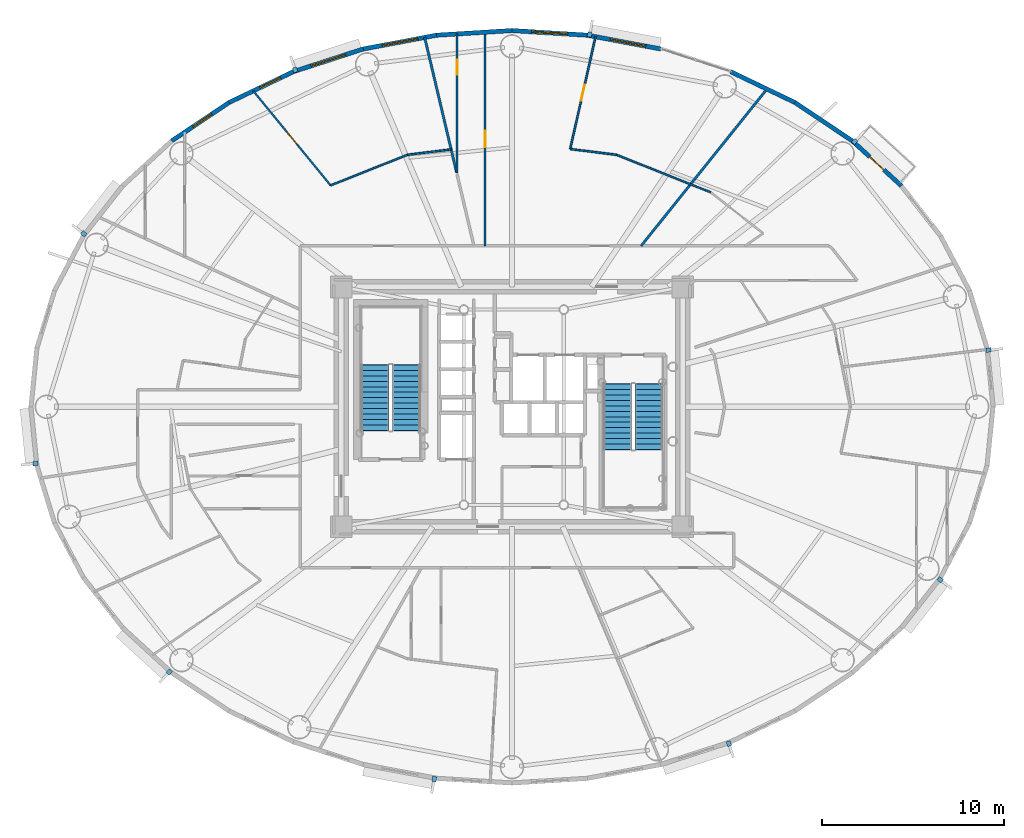
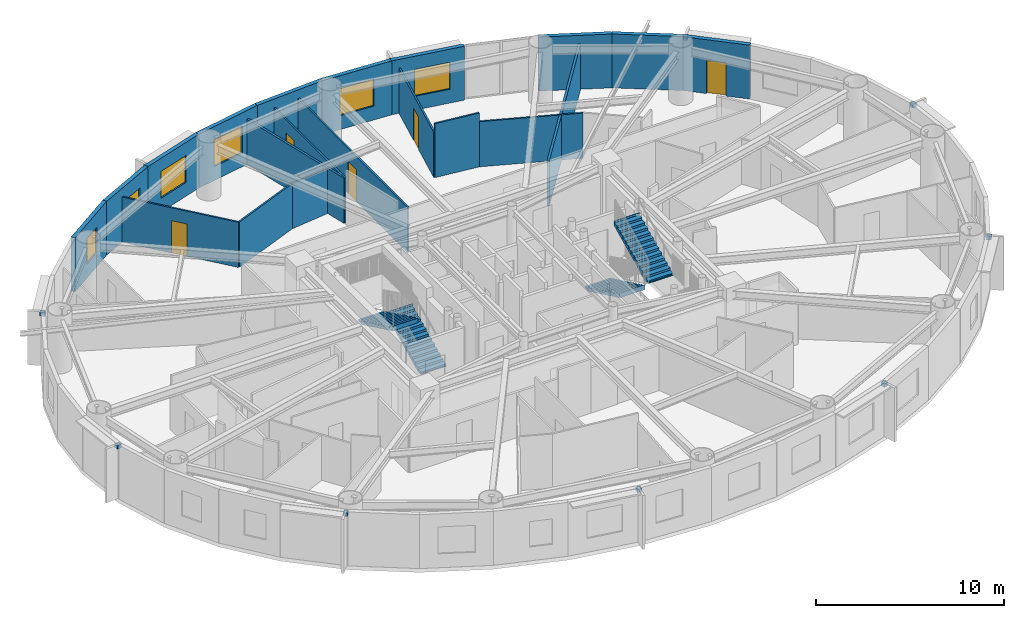
# One storey, part 11 of 18: 20 walls, 10 discrete accessories, 6 windows, 5 doors, 4 stair flights, 11 openings, 2 elements without a shape of their own.
"""IFC4 building model written with IfcOpenShell, lengths in metres."""

from ifc_helpers import new_model, si_unit, direction, frame, frame_2d, origin, origin_2d, place, context, subcontext, project, spatial, polyline, rectangle, outline, extrude, source, transform, mapped, material, layer, layer_set, type_object, element, fill, aggregate, save


model = new_model("IFC4")

# Units and contexts
model_context = context("Model", 3, precision=1e-05, world=origin(), true_north=direction((0.0, 1.0)))
body_context = subcontext(model_context, "Body", "Model", "MODEL_VIEW")
ifc_project = project(units=[si_unit("LENGTHUNIT", "METRE"), si_unit("AREAUNIT", "SQUARE_METRE"), si_unit("VOLUMEUNIT", "CUBIC_METRE"), si_unit("PLANEANGLEUNIT", "RADIAN"), si_unit("MASSUNIT", "GRAM", prefix="KILO")], contexts=[model_context])

# Site, building, storey
site_placement = place(None, origin())
site = spatial("IfcSite", under=ifc_project, at=site_placement, CompositionType="ELEMENT")
building_placement = place(site_placement, origin())
building = spatial("IfcBuilding", under=site, at=building_placement, Name="Linh Dai School and Residence Tower", CompositionType="ELEMENT")
storey_placement = place(building_placement, frame((0.0, 0.0, 159.89990234375)))
storey = spatial("IfcBuildingStorey", under=building, at=storey_placement, Name="L38", CompositionType="ELEMENT", Elevation=159.89990234375)

# Wall, opening, door
ifc_material_1 = material(Name="Precast Concrete B45 (C35/45)", Category="concrete")
ifc_layer_1 = layer(ifc_material_1, 0.239990234375)
ifc_layer_set_1 = layer_set([ifc_layer_1], Name="Precast Concrete B45 (C35/45)")
wall_type_1 = type_object("IfcWallType", Name="EW-TC-240", PredefinedType="SOLIDWALL", material=ifc_layer_set_1)
wall_1_placement = place(storey_placement, frame((54.73193359375, 41.630615234375, 0.0), z_axis=(0.0, 0.0, 1.0), x_axis=(0.737076565834, -0.675809245349, 0.0)))
wall_1 = element("IfcWall", 1, at=wall_1_placement, inside=storey, type_object=wall_type_1, Name="L38 Terracotta Exterior Wall 05", PredefinedType="SOLIDWALL", context=body_context, shape_type="SweptSolid", body=[
    extrude(rectangle(XDim=3.658203125, YDim=0.239990234375, at=frame_2d((1.8291015625, 0.0))), origin(), (0.0, 0.0, 1.0), 3.5),
])
opening_1_placement = place(wall_1_placement, frame((1.303955078125, 0.0, 0.0)))
opening_1 = element("IfcOpeningElement", 2, at=opening_1_placement, cuts=wall_1, Name="Opening BD1", PredefinedType="OPENING", context=body_context, shape_type="SweptSolid", body=[
    extrude(rectangle(XDim=1.050048828125, YDim=2.14990234375, at=origin_2d()), frame((0.52490234375, 0.1298828125, 1.074951171875), z_axis=(0.0, -1.0, 0.0), x_axis=(1.0, 0.0, 0.0)), (0.0, 0.0, 1.0), 0.260009765625),
])
ifc_material_2 = material(Name="Double-Glazed Balcony Door", Category="glass")
door_type_1 = type_object("IfcDoorType", Name="DR-BALC-1050x2150", OperationType="NOTDEFINED", PredefinedType="DOOR", material=ifc_material_2)
shared_shape_1 = source(origin(), body_context, "Body", "SweptSolid", [
    extrude(rectangle(XDim=1.050048828125, YDim=2.14990234375, at=origin_2d()), frame((0.52490234375, 0.02490234375, 1.074951171875), z_axis=(0.0, -1.0, 0.0), x_axis=(1.0, 0.0, 0.0)), (0.0, 0.0, 1.0), 0.050048828125),
])
door_1_placement = place(opening_1_placement, origin())
door_1 = element("IfcDoor", 3, at=door_1_placement, inside=storey, type_object=door_type_1, Name="L38 Glazed Balcony Door 05", OperationType="SINGLE_SWING_RIGHT", OverallHeight=2.14990234375, OverallWidth=1.050048828125, PredefinedType="DOOR", context=body_context, shape_type="MappedRepresentation", body=[
    mapped(shared_shape_1, transform((0.0, 0.0, 0.0), x_axis=(1.0, 0.0, 0.0), y_axis=(0.0, 1.0, 0.0), z_axis=(0.0, 0.0, 1.0), scale=1.0)),
])
fill(opening_1, door_1)

# Walls
wall_2_placement = place(storey_placement, frame((51.5732421875, 43.7431640625, 0.0), z_axis=(0.0, 0.0, 1.0), x_axis=(0.831228998277, -0.555930168657, 0.0)))
element("IfcWall", 4, at=wall_2_placement, inside=storey, type_object=wall_type_1, Name="L38 Terracotta Exterior Wall 06", PredefinedType="SOLIDWALL", context=body_context, shape_type="SweptSolid", body=[
    extrude(rectangle(XDim=3.800048828125, YDim=0.239990234375, at=frame_2d((1.89990234375, 0.0))), origin(), (0.0, 0.0, 1.0), 3.5),
])
wall_3_placement = place(storey_placement, frame((48.02978515625, 45.443603515625, 0.0), z_axis=(0.0, 0.0, 1.0), x_axis=(0.901564733809, -0.432644231155, 0.0)))
element("IfcWall", 5, at=wall_3_placement, inside=storey, type_object=wall_type_1, Name="L38 Terracotta Exterior Wall 07", PredefinedType="SOLIDWALL", context=body_context, shape_type="SweptSolid", body=[
    extrude(rectangle(XDim=3.930419921875, YDim=0.239990234375, at=frame_2d((1.96533203125, 0.0))), origin(), (0.0, 0.0, 1.0), 3.5),
])

# Wall, opening, window
wall_4_placement = place(storey_placement, frame((40.145751953125, 47.449462890625, 0.0), z_axis=(0.0, 0.0, 1.0), x_axis=(0.982788108205, -0.184736391573, 0.0)))
wall_4 = element("IfcWall", 6, at=wall_4_placement, inside=storey, type_object=wall_type_1, Name="L38 Terracotta Exterior Wall 09", PredefinedType="SOLIDWALL", context=body_context, shape_type="SweptSolid", body=[
    extrude(rectangle(XDim=4.114013671875, YDim=0.239990234375, at=frame_2d((2.05712890625, 0.0))), origin(), (0.0, 0.0, 1.0), 3.5),
])
opening_2_placement = place(wall_4_placement, frame((1.281005859375, 0.0, 0.89990234375)))
opening_2 = element("IfcOpeningElement", 7, at=opening_2_placement, cuts=wall_4, Name="Opening W1", PredefinedType="OPENING", context=body_context, shape_type="SweptSolid", body=[
    extrude(rectangle(XDim=2.0, YDim=1.75, at=origin_2d()), frame((1.0, 0.1298828125, 0.875), z_axis=(0.0, -1.0, 0.0), x_axis=(1.0, 0.0, 0.0)), (0.0, 0.0, 1.0), 0.260009765625),
])
ifc_material_3 = material(Name="Double Low-E Insulated Glazing", Category="glass")
window_type_1 = type_object("IfcWindowType", Name="WN-RES-2000x1750", PartitioningType="DOUBLE_PANEL_VERTICAL", PredefinedType="WINDOW", material=ifc_material_3)
shared_shape_2 = source(origin(), body_context, "Body", "SweptSolid", [
    extrude(rectangle(XDim=2.0, YDim=1.75, at=origin_2d()), frame((1.0, 0.030029296875, 0.875), z_axis=(0.0, -1.0, 0.0), x_axis=(1.0, 0.0, 0.0)), (0.0, 0.0, 1.0), 0.06005859375),
])
window_1_placement = place(opening_2_placement, origin())
window_1 = element("IfcWindow", 8, at=window_1_placement, inside=storey, type_object=window_type_1, Name="L38 Exterior Window 09.1", OverallHeight=1.75, OverallWidth=2.0, PartitioningType="DOUBLE_PANEL_VERTICAL", PredefinedType="WINDOW", context=body_context, shape_type="MappedRepresentation", body=[
    mapped(shared_shape_2, transform((0.0, 0.0, 0.0), x_axis=(1.0, 0.0, 0.0), y_axis=(0.0, 1.0, 0.0), z_axis=(0.0, 0.0, 1.0), scale=1.0)),
])
fill(opening_2, window_1)

wall_5_placement = place(storey_placement, frame((36.0, 47.705078125, 0.0), z_axis=(0.0, 0.0, 1.0), x_axis=(0.998104600619, -0.061540281305, 0.0)))
wall_5 = element("IfcWall", 9, at=wall_5_placement, inside=storey, type_object=wall_type_1, Name="L38 Terracotta Exterior Wall 10", PredefinedType="SOLIDWALL", context=body_context, shape_type="SweptSolid", body=[
    extrude(rectangle(XDim=4.153564453125, YDim=0.239990234375, at=frame_2d((2.07666015625, 0.0))), origin(), (0.0, 0.0, 1.0), 3.5),
])
opening_3_placement = place(wall_5_placement, frame((1.076904296875, 0.0, 0.89990234375)))
opening_3 = element("IfcOpeningElement", 10, at=opening_3_placement, cuts=wall_5, Name="Opening W1", PredefinedType="OPENING", context=body_context, shape_type="SweptSolid", body=[
    extrude(rectangle(XDim=2.0, YDim=1.75, at=origin_2d()), frame((1.0, 0.1298828125, 0.875), z_axis=(0.0, -1.0, 0.0), x_axis=(1.0, 0.0, 0.0)), (0.0, 0.0, 1.0), 0.260009765625),
])
window_2_placement = place(opening_3_placement, origin())
window_2 = element("IfcWindow", 11, at=window_2_placement, inside=storey, type_object=window_type_1, Name="L38 Exterior Window 10.1", OverallHeight=1.75, OverallWidth=2.0, PartitioningType="DOUBLE_PANEL_VERTICAL", PredefinedType="WINDOW", context=body_context, shape_type="MappedRepresentation", body=[
    mapped(shared_shape_2, transform((0.0, 0.0, 0.0), x_axis=(1.0, 0.0, 0.0), y_axis=(0.0, 1.0, 0.0), z_axis=(0.0, 0.0, 1.0), scale=1.0)),
])
fill(opening_3, window_2)

# Wall
wall_6_placement = place(storey_placement, frame((31.854248046875, 47.449462890625, 0.0), z_axis=(0.0, 0.0, 1.0), x_axis=(0.998104600619, 0.061540281305, 0.0)))
element("IfcWall", 12, at=wall_6_placement, inside=storey, type_object=wall_type_1, Name="L38 Terracotta Exterior Wall 11", PredefinedType="SOLIDWALL", context=body_context, shape_type="SweptSolid", body=[
    extrude(rectangle(XDim=4.153564453125, YDim=0.239990234375, at=frame_2d((2.07666015625, 0.0))), origin(), (0.0, 0.0, 1.0), 3.5),
])

# Wall, opening, window
wall_7_placement = place(storey_placement, frame((27.81103515625, 46.689453125, 0.0), z_axis=(0.0, 0.0, 1.0), x_axis=(0.982788108205, 0.184736391573, 0.0)))
wall_7 = element("IfcWall", 13, at=wall_7_placement, inside=storey, type_object=wall_type_1, Name="L38 Terracotta Exterior Wall 12", PredefinedType="SOLIDWALL", context=body_context, shape_type="SweptSolid", body=[
    extrude(rectangle(XDim=4.114013671875, YDim=0.239990234375, at=frame_2d((2.05712890625, 0.0))), origin(), (0.0, 0.0, 1.0), 3.5),
])
opening_4_placement = place(wall_7_placement, frame((1.05712890625, 0.0, 0.89990234375)))
opening_4 = element("IfcOpeningElement", 14, at=opening_4_placement, cuts=wall_7, Name="Opening W1", PredefinedType="OPENING", context=body_context, shape_type="SweptSolid", body=[
    extrude(rectangle(XDim=2.0, YDim=1.75, at=origin_2d()), frame((1.0, 0.1298828125, 0.875), z_axis=(0.0, -1.0, 0.0), x_axis=(1.0, 0.0, 0.0)), (0.0, 0.0, 1.0), 0.260009765625),
])
window_3_placement = place(opening_4_placement, origin())
window_3 = element("IfcWindow", 15, at=window_3_placement, inside=storey, type_object=window_type_1, Name="L38 Exterior Window 12.1", OverallHeight=1.75, OverallWidth=2.0, PartitioningType="DOUBLE_PANEL_VERTICAL", PredefinedType="WINDOW", context=body_context, shape_type="MappedRepresentation", body=[
    mapped(shared_shape_2, transform((0.0, 0.0, 0.0), x_axis=(1.0, 0.0, 0.0), y_axis=(0.0, 1.0, 0.0), z_axis=(0.0, 0.0, 1.0), scale=1.0)),
])
fill(opening_4, window_3)

wall_8_placement = place(storey_placement, frame((23.97021484375, 45.443603515625, 0.0), z_axis=(0.0, 0.0, 1.0), x_axis=(0.951209870236, 0.30854462038, 0.0)))
wall_8 = element("IfcWall", 16, at=wall_8_placement, inside=storey, type_object=wall_type_1, Name="L38 Terracotta Exterior Wall 13", PredefinedType="SOLIDWALL", context=body_context, shape_type="SweptSolid", body=[
    extrude(rectangle(XDim=4.037841796875, YDim=0.239990234375, at=frame_2d((2.01904296875, 0.0))), origin(), (0.0, 0.0, 1.0), 3.5),
])
opening_5_placement = place(wall_8_placement, frame((1.01904296875, 0.0, 0.89990234375)))
opening_5 = element("IfcOpeningElement", 17, at=opening_5_placement, cuts=wall_8, Name="Opening W1", PredefinedType="OPENING", context=body_context, shape_type="SweptSolid", body=[
    extrude(rectangle(XDim=2.0, YDim=1.75, at=origin_2d()), frame((1.0, 0.1298828125, 0.875), z_axis=(0.0, -1.0, 0.0), x_axis=(1.0, 0.0, 0.0)), (0.0, 0.0, 1.0), 0.260009765625),
])
window_4_placement = place(opening_5_placement, origin())
window_4 = element("IfcWindow", 18, at=window_4_placement, inside=storey, type_object=window_type_1, Name="L38 Exterior Window 13.1", OverallHeight=1.75, OverallWidth=2.0, PartitioningType="DOUBLE_PANEL_VERTICAL", PredefinedType="WINDOW", context=body_context, shape_type="MappedRepresentation", body=[
    mapped(shared_shape_2, transform((0.0, 0.0, 0.0), x_axis=(1.0, 0.0, 0.0), y_axis=(0.0, 1.0, 0.0), z_axis=(0.0, 0.0, 1.0), scale=1.0)),
])
fill(opening_5, window_4)

wall_9_placement = place(storey_placement, frame((20.4267578125, 43.7431640625, 0.0), z_axis=(0.0, 0.0, 1.0), x_axis=(0.901564733809, 0.432644231155, 0.0)))
wall_9 = element("IfcWall", 19, at=wall_9_placement, inside=storey, type_object=wall_type_1, Name="L38 Terracotta Exterior Wall 14", PredefinedType="SOLIDWALL", context=body_context, shape_type="SweptSolid", body=[
    extrude(rectangle(XDim=3.930419921875, YDim=0.239990234375, at=frame_2d((1.96533203125, 0.0))), origin(), (0.0, 0.0, 1.0), 3.5),
])
opening_6_placement = place(wall_9_placement, frame((1.900390625, 0.0, 0.89990234375)))
opening_6 = element("IfcOpeningElement", 20, at=opening_6_placement, cuts=wall_9, Name="Opening W3", PredefinedType="OPENING", context=body_context, shape_type="SweptSolid", body=[
    extrude(rectangle(XDim=1.25, YDim=1.64990234375, at=origin_2d()), frame((0.625, 0.1298828125, 0.824951171875), z_axis=(0.0, -1.0, 0.0), x_axis=(1.0, 0.0, 0.0)), (0.0, 0.0, 1.0), 0.260009765625),
])
window_type_2 = type_object("IfcWindowType", Name="WN-RES-1250x1650", PartitioningType="SINGLE_PANEL", PredefinedType="WINDOW", material=ifc_material_3)
shared_shape_3 = source(origin(), body_context, "Body", "SweptSolid", [
    extrude(rectangle(XDim=1.25, YDim=1.64990234375, at=origin_2d()), frame((0.625, 0.030029296875, 0.824951171875), z_axis=(0.0, -1.0, 0.0), x_axis=(1.0, 0.0, 0.0)), (0.0, 0.0, 1.0), 0.06005859375),
])
window_5_placement = place(opening_6_placement, origin())
window_5 = element("IfcWindow", 21, at=window_5_placement, inside=storey, type_object=window_type_2, Name="L38 Exterior Window 14.1", OverallHeight=1.64990234375, OverallWidth=1.25, PartitioningType="SINGLE_PANEL", PredefinedType="WINDOW", context=body_context, shape_type="MappedRepresentation", body=[
    mapped(shared_shape_3, transform((0.0, 0.0, 0.0), x_axis=(1.0, 0.0, 0.0), y_axis=(0.0, 1.0, 0.0), z_axis=(0.0, 0.0, 1.0), scale=1.0)),
])
fill(opening_6, window_5)

wall_10_placement = place(storey_placement, frame((17.26806640625, 41.630615234375, 0.0), z_axis=(0.0, 0.0, 1.0), x_axis=(0.831228998277, 0.555930168657, 0.0)))
wall_10 = element("IfcWall", 22, at=wall_10_placement, inside=storey, type_object=wall_type_1, Name="L38 Terracotta Exterior Wall 15", PredefinedType="SOLIDWALL", context=body_context, shape_type="SweptSolid", body=[
    extrude(rectangle(XDim=3.800048828125, YDim=0.239990234375, at=frame_2d((1.89990234375, 0.0))), origin(), (0.0, 0.0, 1.0), 3.5),
])
opening_7_placement = place(wall_10_placement, frame((1.4052734375, 0.0, 0.89990234375)))
opening_7 = element("IfcOpeningElement", 23, at=opening_7_placement, cuts=wall_10, Name="Opening W3", PredefinedType="OPENING", context=body_context, shape_type="SweptSolid", body=[
    extrude(rectangle(XDim=1.25, YDim=1.64990234375, at=origin_2d()), frame((0.625, 0.1298828125, 0.824951171875), z_axis=(0.0, -1.0, 0.0), x_axis=(1.0, 0.0, 0.0)), (0.0, 0.0, 1.0), 0.260009765625),
])
window_6_placement = place(opening_7_placement, origin())
window_6 = element("IfcWindow", 24, at=window_6_placement, inside=storey, type_object=window_type_2, Name="L38 Dwelling Window U3803-LIV", OverallHeight=1.64990234375, OverallWidth=1.25, PartitioningType="SINGLE_PANEL", PredefinedType="WINDOW", context=body_context, shape_type="MappedRepresentation", body=[
    mapped(shared_shape_3, transform((0.0, 0.0, 0.0), x_axis=(1.0, 0.0, 0.0), y_axis=(0.0, 1.0, 0.0), z_axis=(0.0, 0.0, 1.0), scale=1.0)),
])
fill(opening_7, window_6)

# Walls
ifc_material_4 = material(Name="Autoclaved Aerated Concrete Blockwork", Category="masonry")
ifc_layer_2 = layer(ifc_material_4, 0.135009765625)
ifc_layer_set_2 = layer_set([ifc_layer_2], Name="Autoclaved Aerated Concrete Blockwork")
wall_type_2 = type_object("IfcWallType", Name="IW-CORR-135-EI90", PredefinedType="PARTITIONING", material=ifc_layer_set_2)
wall_11_placement = place(storey_placement, frame((31.193603515625, 47.330322265625, 0.0), z_axis=(0.0, 0.0, 1.0), x_axis=(0.230064999041, -0.973175264902, 0.0)))
element("IfcWall", 25, at=wall_11_placement, inside=storey, type_object=wall_type_2, Name="L38 Interior Partition Wall 035", PredefinedType="PARTITIONING", context=body_context, shape_type="SweptSolid", body=[
    extrude(rectangle(XDim=7.654296875, YDim=0.135009765625, at=frame_2d((3.8271484375, 0.0))), origin(), (0.0, 0.0, 1.0), 2.93505859375),
])
wall_12_placement = place(storey_placement, frame((43.10205078125, 35.85009765625, 0.0), z_axis=(0.0, 0.0, 1.0), x_axis=(0.62588794771, 0.779912993168, 0.0)))
element("IfcWall", 26, at=wall_12_placement, inside=storey, type_object=wall_type_2, Name="L38 Interior Partition Wall 075", PredefinedType="PARTITIONING", context=body_context, shape_type="SweptSolid", body=[
    extrude(rectangle(XDim=11.074951171875, YDim=0.135009765625, at=frame_2d((5.53759765625, 0.0))), origin(), (0.0, 0.0, 1.0), 2.93505859375),
])

# Wall, opening, door
ifc_material_5 = material(Name="Gypsum Plasterboard Acoustic Stud Partition", Category="masonry")
ifc_layer_3 = layer(ifc_material_5, 0.10009765625)
ifc_layer_set_3 = layer_set([ifc_layer_3], Name="Gypsum Plasterboard Acoustic Stud Partition")
wall_type_3 = type_object("IfcWallType", Name="IW-UNIT-100", PredefinedType="PARTITIONING", material=ifc_layer_set_3)
wall_13_placement = place(storey_placement, frame((21.75634765625, 44.38671875, 0.0), z_axis=(0.0, 0.0, 1.0), x_axis=(0.633727642201, -0.773556252325, 0.0)))
wall_13 = element("IfcWall", 27, at=wall_13_placement, inside=storey, type_object=wall_type_3, Name="L38 Interior Partition Wall 022", PredefinedType="PARTITIONING", context=body_context, shape_type="SweptSolid", body=[
    extrude(rectangle(XDim=6.72900390625, YDim=0.10009765625, at=frame_2d((3.364501953125, 0.0))), origin(), (0.0, 0.0, 1.0), 2.93505859375),
])
opening_8_placement = place(wall_13_placement, frame((2.91455078125, 0.0, 0.0)))
opening_8 = element("IfcOpeningElement", 28, at=opening_8_placement, cuts=wall_13, Name="Opening D05", PredefinedType="OPENING", context=body_context, shape_type="SweptSolid", body=[
    extrude(rectangle(XDim=0.89990234375, YDim=2.10009765625, at=origin_2d()), frame((0.449951171875, 0.06005859375, 1.050048828125), z_axis=(0.0, -1.0, 0.0), x_axis=(1.0, 0.0, 0.0)), (0.0, 0.0, 1.0), 0.1201171875),
])
ifc_material_6 = material(Name="Engineered Timber Internal Door", Category="wood")
door_type_2 = type_object("IfcDoorType", Name="DR-INT-900x2100", OperationType="NOTDEFINED", PredefinedType="DOOR", material=ifc_material_6)
shared_shape_4 = source(origin(), body_context, "Body", "SweptSolid", [
    extrude(rectangle(XDim=0.89990234375, YDim=2.10009765625, at=origin_2d()), frame((0.449951171875, 0.02490234375, 1.050048828125), z_axis=(0.0, -1.0, 0.0), x_axis=(1.0, 0.0, 0.0)), (0.0, 0.0, 1.0), 0.050048828125),
])
door_2_placement = place(opening_8_placement, origin())
door_2 = element("IfcDoor", 29, at=door_2_placement, inside=storey, type_object=door_type_2, Name="L38 Apartment U3803 Principal Bedroom 1 Door", OperationType="SINGLE_SWING_RIGHT", OverallHeight=2.10009765625, OverallWidth=0.89990234375, PredefinedType="DOOR", context=body_context, shape_type="MappedRepresentation", body=[
    mapped(shared_shape_4, transform((0.0, 0.0, 0.0), x_axis=(1.0, 0.0, 0.0), y_axis=(0.0, 1.0, 0.0), z_axis=(0.0, 0.0, 1.0), scale=1.0)),
])
fill(opening_8, door_2)

# Walls
wall_14_placement = place(storey_placement, frame((26.020751953125, 39.181396484375, 0.0), z_axis=(0.0, 0.0, 1.0), x_axis=(0.928787254853, 0.37061332305, 0.0)))
element("IfcWall", 30, at=wall_14_placement, inside=storey, type_object=wall_type_3, Name="L38 Interior Partition Wall 028", PredefinedType="PARTITIONING", context=body_context, shape_type="SweptSolid", body=[
    extrude(rectangle(XDim=4.54931640625, YDim=0.10009765625, at=frame_2d((2.274658203125, 0.0))), origin(), (0.0, 0.0, 1.0), 2.93505859375),
])
wall_15_placement = place(storey_placement, frame((30.24609375, 40.867431640625, 0.0), z_axis=(0.0, 0.0, 1.0), x_axis=(0.99240598239, 0.123005553192, 0.0)))
element("IfcWall", 31, at=wall_15_placement, inside=storey, type_object=wall_type_3, Name="L38 Interior Partition Wall 032", PredefinedType="PARTITIONING", context=body_context, shape_type="SweptSolid", body=[
    extrude(rectangle(XDim=2.42333984375, YDim=0.10009765625, at=frame_2d((1.211669921875, 0.0))), origin(), (0.0, 0.0, 1.0), 2.93505859375),
])

# Wall, opening, door
wall_16_placement = place(storey_placement, frame((32.975830078125, 39.884033203125, 0.0), z_axis=(0.0, 0.0, 1.0), x_axis=(0.0, 1.0, 0.0)))
wall_16 = element("IfcWall", 32, at=wall_16_placement, inside=storey, type_object=wall_type_3, Name="L38 Interior Partition Wall 044", PredefinedType="PARTITIONING", context=body_context, shape_type="SweptSolid", body=[
    extrude(rectangle(XDim=7.6396484375, YDim=0.10009765625, at=frame_2d((3.81982421875, 0.0))), origin(), (0.0, 0.0, 1.0), 2.93505859375),
])
opening_9_placement = place(wall_16_placement, frame((5.3837890625, 0.0, 0.0)))
opening_9 = element("IfcOpeningElement", 33, at=opening_9_placement, cuts=wall_16, Name="Opening D06", PredefinedType="OPENING", context=body_context, shape_type="SweptSolid", body=[
    extrude(rectangle(XDim=0.820068359375, YDim=2.10009765625, at=origin_2d()), frame((0.41015625, 0.06005859375, 1.050048828125), z_axis=(0.0, -1.0, 0.0), x_axis=(1.0, 0.0, 0.0)), (0.0, 0.0, 1.0), 0.1201171875),
])
ifc_material_7 = material(Name="Moisture-Resistant Timber Bathroom Door", Category="wood")
door_type_3 = type_object("IfcDoorType", Name="DR-WET-820x2100", OperationType="NOTDEFINED", PredefinedType="DOOR", material=ifc_material_7)
shared_shape_5 = source(origin(), body_context, "Body", "SweptSolid", [
    extrude(rectangle(XDim=0.820068359375, YDim=2.10009765625, at=origin_2d()), frame((0.41015625, 0.02490234375, 1.050048828125), z_axis=(0.0, -1.0, 0.0), x_axis=(1.0, 0.0, 0.0)), (0.0, 0.0, 1.0), 0.050048828125),
])
door_3_placement = place(opening_9_placement, origin())
door_3 = element("IfcDoor", 34, at=door_3_placement, inside=storey, type_object=door_type_3, Name="L38 Apartment U3802 Bathroom 1 Door", OperationType="SINGLE_SWING_RIGHT", OverallHeight=2.10009765625, OverallWidth=0.820068359375, PredefinedType="DOOR", context=body_context, shape_type="MappedRepresentation", body=[
    mapped(shared_shape_5, transform((0.0, 0.0, 0.0), x_axis=(1.0, 0.0, 0.0), y_axis=(0.0, 1.0, 0.0), z_axis=(0.0, 0.0, 1.0), scale=1.0)),
])
fill(opening_9, door_3)

wall_17_placement = place(storey_placement, frame((34.517578125, 35.85009765625, 0.0), z_axis=(0.0, 0.0, 1.0), x_axis=(0.0, 1.0, 0.0)))
wall_17 = element("IfcWall", 35, at=wall_17_placement, inside=storey, type_object=wall_type_3, Name="L38 Interior Partition Wall 046", PredefinedType="PARTITIONING", context=body_context, shape_type="SweptSolid", body=[
    extrude(rectangle(XDim=11.7685546875, YDim=0.10009765625, at=frame_2d((5.88427734375, 0.0))), origin(), (0.0, 0.0, 1.0), 2.93505859375),
])
opening_10_placement = place(wall_17_placement, frame((5.434326171875, 0.0, 0.0)))
opening_10 = element("IfcOpeningElement", 36, at=opening_10_placement, cuts=wall_17, Name="Opening D05", PredefinedType="OPENING", context=body_context, shape_type="SweptSolid", body=[
    extrude(rectangle(XDim=0.89990234375, YDim=2.10009765625, at=origin_2d()), frame((0.449951171875, 0.06005859375, 1.050048828125), z_axis=(0.0, -1.0, 0.0), x_axis=(1.0, 0.0, 0.0)), (0.0, 0.0, 1.0), 0.1201171875),
])
door_4_placement = place(opening_10_placement, origin())
door_4 = element("IfcDoor", 37, at=door_4_placement, inside=storey, type_object=door_type_2, Name="L38 Apartment U3802 Kitchen Door", OperationType="SINGLE_SWING_LEFT", OverallHeight=2.10009765625, OverallWidth=0.89990234375, PredefinedType="DOOR", context=body_context, shape_type="MappedRepresentation", body=[
    mapped(shared_shape_4, transform((0.0, 0.0, 0.0), x_axis=(1.0, 0.0, 0.0), y_axis=(0.0, 1.0, 0.0), z_axis=(0.0, 0.0, 1.0), scale=1.0)),
])
fill(opening_10, door_4)

wall_18_placement = place(storey_placement, frame((39.202392578125, 41.183837890625, 0.0), z_axis=(0.0, 0.0, 1.0), x_axis=(0.220223056883, 0.975449540067, 0.0)))
wall_18 = element("IfcWall", 38, at=wall_18_placement, inside=storey, type_object=wall_type_3, Name="L38 Interior Partition Wall 064", PredefinedType="PARTITIONING", context=body_context, shape_type="SweptSolid", body=[
    extrude(rectangle(XDim=6.34130859375, YDim=0.10009765625, at=frame_2d((3.170654296875, 0.0))), origin(), (0.0, 0.0, 1.0), 2.93505859375),
])
opening_11_placement = place(wall_18_placement, frame((2.720703125, 0.0, 0.0)))
opening_11 = element("IfcOpeningElement", 39, at=opening_11_placement, cuts=wall_18, Name="Opening D05", PredefinedType="OPENING", context=body_context, shape_type="SweptSolid", body=[
    extrude(rectangle(XDim=0.89990234375, YDim=2.10009765625, at=origin_2d()), frame((0.449951171875, 0.06005859375, 1.050048828125), z_axis=(0.0, -1.0, 0.0), x_axis=(1.0, 0.0, 0.0)), (0.0, 0.0, 1.0), 0.1201171875),
])
door_5_placement = place(opening_11_placement, origin())
door_5 = element("IfcDoor", 40, at=door_5_placement, inside=storey, type_object=door_type_2, Name="L38 Apartment U3802 Principal Bedroom 1 Door", OperationType="SINGLE_SWING_RIGHT", OverallHeight=2.10009765625, OverallWidth=0.89990234375, PredefinedType="DOOR", context=body_context, shape_type="MappedRepresentation", body=[
    mapped(shared_shape_4, transform((0.0, 0.0, 0.0), x_axis=(1.0, 0.0, 0.0), y_axis=(0.0, 1.0, 0.0), z_axis=(0.0, 0.0, 1.0), scale=1.0)),
])
fill(opening_11, door_5)

# Walls
wall_19_placement = place(storey_placement, frame((39.202392578125, 41.183837890625, 0.0), z_axis=(0.0, 0.0, 1.0), x_axis=(0.992398655735, -0.123064650065, 0.0)))
element("IfcWall", 41, at=wall_19_placement, inside=storey, type_object=wall_type_3, Name="L38 Interior Partition Wall 065", PredefinedType="PARTITIONING", context=body_context, shape_type="SweptSolid", body=[
    extrude(rectangle(XDim=2.571044921875, YDim=0.10009765625, at=frame_2d((1.28564453125, 0.0))), origin(), (0.0, 0.0, 1.0), 3.5),
])
wall_20_placement = place(storey_placement, frame((41.75390625, 40.867431640625, 0.0), z_axis=(0.0, 0.0, 1.0), x_axis=(0.928789673623, -0.370607261359, 0.0)))
element("IfcWall", 42, at=wall_20_placement, inside=storey, type_object=wall_type_3, Name="L38 Interior Partition Wall 073", PredefinedType="PARTITIONING", context=body_context, shape_type="SweptSolid", body=[
    extrude(rectangle(XDim=5.5888671875, YDim=0.10009765625, at=frame_2d((2.79443359375, 0.0))), origin(), (0.0, 0.0, 1.0), 2.93505859375),
])

# Stair, stair flights
ifc_material_8 = material(Name="Concrete B45 (C35/45)", Category="concrete")
stair_type = type_object("IfcStairType", Name="ST-DOG-1550-R1442", PredefinedType="HALF_TURN_STAIR", material=ifc_material_8)
stair_1_placement = place(storey_placement, origin())
stair_1 = element("IfcStair", 43, at=stair_1_placement, inside=storey, type_object=stair_type, Name="L38 Core Smokeproof Exit Stair ST1", PredefinedType="HALF_TURN_STAIR")
stair_flight_type = type_object("IfcStairFlightType", Name="STF-STR-1550-R1442", PredefinedType="STRAIGHT", material=ifc_material_8)
shared_shape_6 = source(origin(), body_context, "Body", "SweptSolid", [
    extrude(outline(polyline([(-0.02490234375, 0.0), (-0.02490234375, 0.06005859375), (0.0, 0.06005859375), (0.0, 0.144287109375), (0.300048828125, 0.144287109375), (0.300048828125, 0.28857421875), (0.60009765625, 0.28857421875), (0.60009765625, 0.4326171875), (0.89990234375, 0.4326171875), (0.89990234375, 0.576904296875), (1.199951171875, 0.576904296875), (1.199951171875, 0.72119140625), (1.5, 0.72119140625), (1.5, 0.865478515625), (1.800048828125, 0.865478515625), (1.800048828125, 1.009521484375), (2.10009765625, 1.009521484375), (2.10009765625, 1.15380859375), (2.39990234375, 1.15380859375), (2.39990234375, 1.298095703125), (2.699951171875, 1.298095703125), (2.699951171875, 1.4423828125), (3.0, 1.4423828125), (3.0, 1.58642578125), (3.300048828125, 1.58642578125), (3.300048828125, 1.730712890625), (3.60009765625, 1.730712890625), (3.60009765625, 1.875), (3.625, 1.875), (3.625, 1.564453125), (3.60009765625, 1.564453125), (0.345947265625, 0.0), (-0.02490234375, 0.0)])), frame((0.0, 0.77490234375, 0.0), z_axis=(0.0, -1.0, 0.0), x_axis=(1.0, 0.0, 0.0)), (0.0, 0.0, 1.0), 1.550048828125),
])
stair_flight_1_placement = place(storey_placement, frame((30.205078125, 25.699951171875, 0.0), z_axis=(0.0, 0.0, 1.0), x_axis=(0.0, 1.0, 0.0)))
stair_flight_1 = element("IfcStairFlight", 44, at=stair_flight_1_placement, type_object=stair_flight_type, Name="ST1 flight 1", NumberOfRisers=13, NumberOfTreads=12, PredefinedType="STRAIGHT", RiserHeight=0.144230769, TreadLength=0.3, context=body_context, shape_type="MappedRepresentation", body=[
    mapped(shared_shape_6, transform((0.0, 0.0, 0.0), x_axis=(1.0, 0.0, 0.0), y_axis=(0.0, 1.0, 0.0), z_axis=(0.0, 0.0, 1.0), scale=1.0)),
])
stair_flight_2_placement = place(storey_placement, frame((28.455078125, 29.300048828125, 1.875), z_axis=(0.0, 0.0, 1.0), x_axis=(0.0, -1.0, 0.0)))
stair_flight_2 = element("IfcStairFlight", 45, at=stair_flight_2_placement, type_object=stair_flight_type, Name="ST1 flight 2", NumberOfRisers=13, NumberOfTreads=12, PredefinedType="STRAIGHT", RiserHeight=0.144230769, TreadLength=0.3, context=body_context, shape_type="MappedRepresentation", body=[
    mapped(shared_shape_6, transform((0.0, 0.0, 0.0), x_axis=(1.0, 0.0, 0.0), y_axis=(0.0, 1.0, 0.0), z_axis=(0.0, 0.0, 1.0), scale=1.0)),
])
aggregate(stair_1, [stair_flight_1, stair_flight_2])

stair_2_placement = place(storey_placement, origin())
stair_2 = element("IfcStair", 46, at=stair_2_placement, inside=storey, type_object=stair_type, Name="L38 Core Smokeproof Exit Stair ST2", PredefinedType="HALF_TURN_STAIR")
stair_flight_3_placement = place(storey_placement, frame((41.794921875, 28.25, 0.0), z_axis=(0.0, 0.0, 1.0), x_axis=(0.0, -1.0, 0.0)))
stair_flight_3 = element("IfcStairFlight", 47, at=stair_flight_3_placement, type_object=stair_flight_type, Name="ST2 flight 1", NumberOfRisers=13, NumberOfTreads=12, PredefinedType="STRAIGHT", RiserHeight=0.144230769, TreadLength=0.3, context=body_context, shape_type="MappedRepresentation", body=[
    mapped(shared_shape_6, transform((0.0, 0.0, 0.0), x_axis=(1.0, 0.0, 0.0), y_axis=(0.0, 1.0, 0.0), z_axis=(0.0, 0.0, 1.0), scale=1.0)),
])
stair_flight_4_placement = place(storey_placement, frame((43.544921875, 24.64990234375, 1.875), z_axis=(0.0, 0.0, 1.0), x_axis=(0.0, 1.0, 0.0)))
stair_flight_4 = element("IfcStairFlight", 48, at=stair_flight_4_placement, type_object=stair_flight_type, Name="ST2 flight 2", NumberOfRisers=13, NumberOfTreads=12, PredefinedType="STRAIGHT", RiserHeight=0.144230769, TreadLength=0.3, context=body_context, shape_type="MappedRepresentation", body=[
    mapped(shared_shape_6, transform((0.0, 0.0, 0.0), x_axis=(1.0, 0.0, 0.0), y_axis=(0.0, 1.0, 0.0), z_axis=(0.0, 0.0, 1.0), scale=1.0)),
])
aggregate(stair_2, [stair_flight_3, stair_flight_4])

# Discrete accessories
ifc_material_9 = material(Name="Structural Steel S355JR", Category="steel")
discrete_accessory_type = type_object("IfcDiscreteAccessoryType", Name="ACC-BRK-S355", PredefinedType="BRACKET", material=ifc_material_9)
shared_shape_7 = source(origin(), body_context, "Body", "SweptSolid", [
    extrude(rectangle(XDim=0.280029296875, YDim=0.239990234375, at=origin_2d()), origin(), (0.0, 0.0, 1.0), 0.219970703125),
])
for number, where, z_axis, x_axis, name in (
    (49, (62.2216796875, 30.120361328125, 3.25), (0.0, 0.0, 1.0), (0.994987256586, 0.100001796141, 0.0), "L38 Facade Frame Anchor Bracket 01"),
    (50, (54.861083984375, 41.59375, 3.25), (0.0, 0.0, 1.0), (0.67580001435, 0.737085029426, 0.0), "L38 Facade Frame Anchor Bracket 05"),
    (51, (40.27490234375, 47.486328125, 3.25), (0.0, 0.0, 1.0), (0.184762540184, 0.982783192645, 0.0), "L38 Facade Frame Anchor Bracket 09"),
    (52, (24.06591796875, 45.53759765625, 3.25), (0.0, 0.0, 1.0), (-0.308535707031, 0.951212761419, 0.0), "L38 Facade Frame Anchor Bracket 13"),
    (53, (12.4306640625, 36.52001953125, 3.25), (0.0, 0.0, 1.0), (-0.787522158319, 0.616286337798, 0.0), "L38 Facade Frame Anchor Bracket 17"),
    (54, (9.7783203125, 23.879638671875, 3.25), (0.0, 0.0, 1.0), (-0.994987256586, -0.100001796141, 0.0), "L38 Facade Frame Anchor Bracket 21"),
    (55, (17.138916015625, 12.40625, 3.25), (0.0, 0.0, 1.0), (-0.67580001435, -0.737085029426, 0.0), "L38 Facade Frame Anchor Bracket 25"),
    (56, (31.72509765625, 6.513671875, 3.25), (0.0, 0.0, 1.0), (-0.184762540184, -0.982783192645, 0.0), "L38 Facade Frame Anchor Bracket 29"),
    (57, (47.93408203125, 8.46240234375, 3.25), (0.0, 0.0, 1.0), (0.308535707031, -0.951212761419, 0.0), "L38 Facade Frame Anchor Bracket 33"),
    (58, (59.5693359375, 17.47998046875, 3.25), (0.0, 0.0, 1.0), (0.787522158319, -0.616286337798, 0.0), "L38 Facade Frame Anchor Bracket 37"),
):
    element("IfcDiscreteAccessory", number, at=place(storey_placement, frame(where, z_axis=z_axis, x_axis=x_axis)), inside=storey, type_object=discrete_accessory_type, Name=name, PredefinedType="BRACKET", context=body_context, shape_type="MappedRepresentation", body=[
        mapped(shared_shape_7, transform((0.0, 0.0, 0.0), x_axis=(1.0, 0.0, 0.0), y_axis=(0.0, 1.0, 0.0), z_axis=(0.0, 0.0, 1.0), scale=1.0)),
    ])

save(model, "model.ifc")
